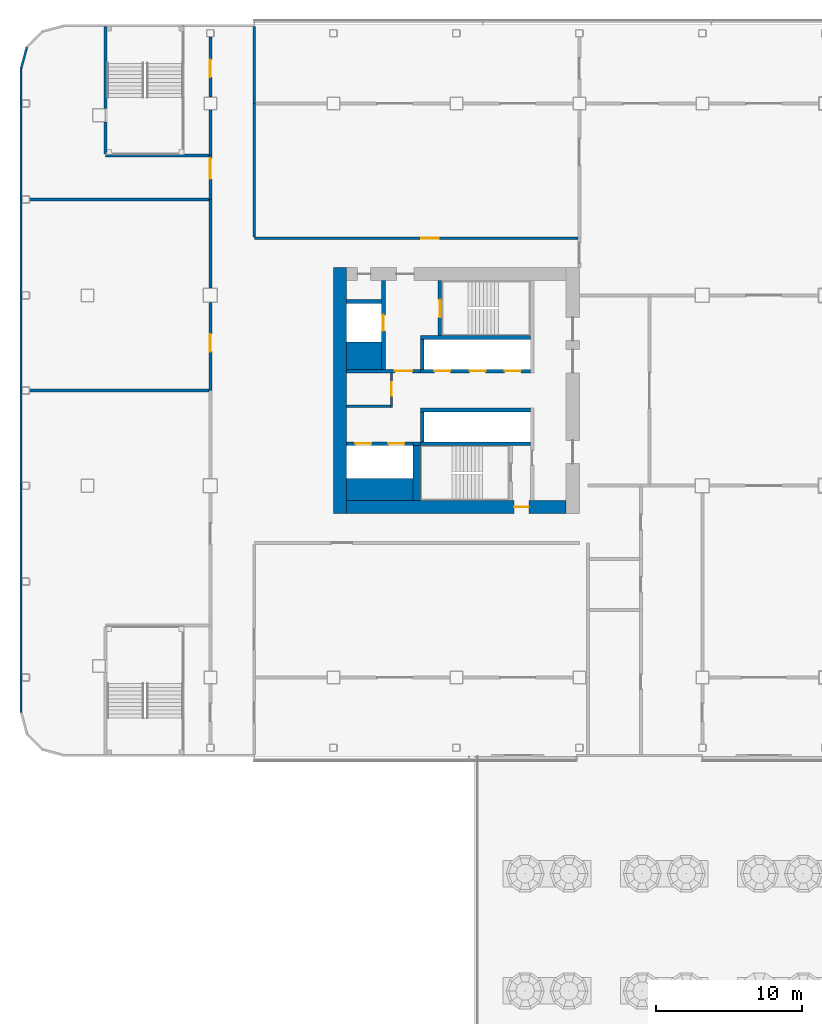
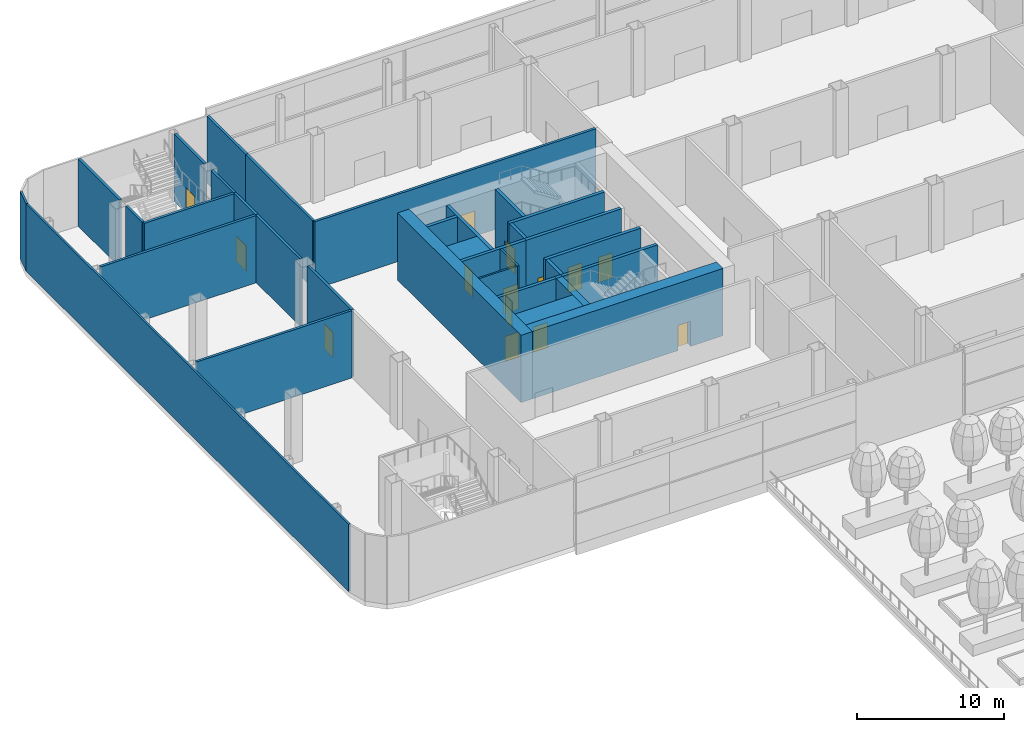
# One storey, part 33 of 100: 34 walls, 14 doors, 14 openings.
"""IFC4 building model written with IfcOpenShell, lengths in metres."""

from ifc_helpers import new_model, si_unit, direction, frame, frame_2d, origin, place, context, subcontext, project, spatial, rectangle, extrude, material, layer, layer_set, type_object, element, fill, save


model = new_model("IFC4")

# Units and contexts
model_context = context("Model", 3, precision=1e-05, world=origin(), true_north=direction((0.0, 1.0)))
body_context = subcontext(model_context, "Body", "Model", "MODEL_VIEW")
ifc_project = project(units=[si_unit("LENGTHUNIT", "METRE"), si_unit("AREAUNIT", "SQUARE_METRE"), si_unit("VOLUMEUNIT", "CUBIC_METRE"), si_unit("PLANEANGLEUNIT", "RADIAN"), si_unit("MASSUNIT", "GRAM", prefix="KILO")], contexts=[model_context])

# Site, building, storey
site_placement = place(None, origin())
site = spatial("IfcSite", under=ifc_project, at=site_placement, CompositionType="ELEMENT")
building_placement = place(site_placement, origin())
building = spatial("IfcBuilding", under=site, at=building_placement, Name="Hakoniwa Tower and Hamabe Station Hall", CompositionType="ELEMENT")
storey_placement = place(building_placement, frame((0.0, 0.0, 9.0)))
storey = spatial("IfcBuildingStorey", under=building, at=storey_placement, Name="L02", CompositionType="ELEMENT", Elevation=9.0)

# Wall, opening, door
ifc_material_1 = material(Name="Gypsum board partition")
ifc_layer_1 = layer(ifc_material_1, 0.14990234375)
ifc_layer_set_1 = layer_set([ifc_layer_1], Name="CORE PARTITION 150 EI 60")
wall_type_1 = type_object("IfcWallType", Name="CORE PARTITION 150 EI 60", PredefinedType="PARTITIONING", material=ifc_layer_set_1)
wall_1_placement = place(storey_placement, frame((-29.625, -1.14990234375, 0.0), z_axis=(0.0, 0.0, 1.0), x_axis=(0.0, 1.0, 0.0)))
wall_1 = element("IfcWall", 1, at=wall_1_placement, inside=storey, type_object=wall_type_1, Name="Core partition PW0 west", PredefinedType="PARTITIONING", context=body_context, shape_type="SweptSolid", body=[
    extrude(rectangle(XDim=2.349853515625, YDim=0.14990234375, at=frame_2d((1.1748046875, 0.0))), origin(), (0.0, 0.0, 1.0), 5.60009765625),
])
opening_1_placement = place(wall_1_placement, frame((0.800048828125, 0.0, 0.0)))
opening_1 = element("IfcOpeningElement", 2, at=opening_1_placement, cuts=wall_1, Name="Opening CD-W-RM1-9", PredefinedType="OPENING", context=body_context, shape_type="SweptSolid", body=[
    extrude(rectangle(XDim=0.89990234375, YDim=2.10009765625, at=frame_2d((0.449951171875, 1.050048828125))), frame((0.0, 0.0849609375, 0.0), z_axis=(0.0, -1.0, 0.0), x_axis=(1.0, 0.0, 0.0)), (0.0, 0.0, 1.0), 0.169921875),
])
ifc_material_2 = material(Name="Steel fire door", Category="steel")
door_type_1 = type_object("IfcDoorType", Name="CORE DOOR 900 FD30", OperationType="NOTDEFINED", PredefinedType="DOOR", material=ifc_material_2)
door_1_placement = place(opening_1_placement, origin())
door_1 = element("IfcDoor", 3, at=door_1_placement, inside=storey, type_object=door_type_1, Name="Store room door", OperationType="SINGLE_SWING_LEFT", OverallHeight=2.10009765625, OverallWidth=0.89990234375, PredefinedType="DOOR", context=body_context, shape_type="SweptSolid", body=[
    extrude(rectangle(XDim=0.89990234375, YDim=2.10009765625, at=frame_2d((0.449951171875, 1.050048828125))), frame((0.0, 0.02490234375, 0.0), z_axis=(0.0, -1.0, 0.0), x_axis=(1.0, 0.0, 0.0)), (0.0, 0.0, 1.0), 0.050048828125),
])
fill(opening_1, door_1)

# Walls
wall_2_placement = place(storey_placement, frame((-32.699951171875, -1.074951171875, 0.0), z_axis=(0.0, 0.0, 1.0), x_axis=(1.0, 0.0, 0.0)))
element("IfcWall", 4, at=wall_2_placement, inside=storey, type_object=wall_type_1, Name="Core partition PS west", PredefinedType="PARTITIONING", context=body_context, shape_type="SweptSolid", body=[
    extrude(rectangle(XDim=3.0, YDim=0.14990234375, at=frame_2d((1.5, 0.0))), origin(), (0.0, 0.0, 1.0), 5.60009765625),
])
ifc_material_3 = material(Name="Concrete C80", Category="concrete")
ifc_layer_2 = layer(ifc_material_3, 0.89990234375)
ifc_layer_set_2 = layer_set([ifc_layer_2], Name="CORE WALL 900 C80")
wall_type_2 = type_object("IfcWallType", Name="CORE WALL 900 C80", PredefinedType="SHEAR", material=ifc_layer_set_2)
wall_3_placement = place(storey_placement, frame((-33.14990234375, -8.39990234375, 0.0), z_axis=(0.0, 0.0, 1.0), x_axis=(0.0, 1.0, 0.0)))
element("IfcWall", 5, at=wall_3_placement, inside=storey, type_object=wall_type_2, Name="Core wall OUTER west", PredefinedType="SHEAR", context=body_context, shape_type="SweptSolid", body=[
    extrude(rectangle(XDim=16.7998046875, YDim=0.89990234375, at=frame_2d((8.39990234375, 0.0))), origin(), (0.0, 0.0, 1.0), 5.60009765625),
])

# Wall, opening, door
wall_4_placement = place(storey_placement, frame((-32.699951171875, -7.949951171875, 0.0), z_axis=(0.0, 0.0, 1.0), x_axis=(1.0, 0.0, 0.0)))
wall_4 = element("IfcWall", 6, at=wall_4_placement, inside=storey, type_object=wall_type_2, Name="Core wall SOUTH west", PredefinedType="SHEAR", context=body_context, shape_type="SweptSolid", body=[
    extrude(rectangle(XDim=15.0, YDim=0.89990234375, at=frame_2d((7.5, 0.0))), origin(), (0.0, 0.0, 1.0), 5.60009765625),
])
opening_2_placement = place(wall_4_placement, frame((11.449951171875, 0.0, 0.0)))
opening_2 = element("IfcOpeningElement", 7, at=opening_2_placement, cuts=wall_4, Name="Opening CD-W-FS3-10", PredefinedType="OPENING", context=body_context, shape_type="SweptSolid", body=[
    extrude(rectangle(XDim=1.0, YDim=2.10009765625, at=frame_2d((0.5, 1.050048828125))), frame((0.0, 0.4599609375, 0.0), z_axis=(0.0, -1.0, 0.0), x_axis=(1.0, 0.0, 0.0)), (0.0, 0.0, 1.0), 0.919921875),
])
ifc_material_4 = material(Name="Steel fire door", Category="steel")
door_type_2 = type_object("IfcDoorType", Name="CORE DOOR 1000 FD60", OperationType="NOTDEFINED", PredefinedType="DOOR", material=ifc_material_4)
door_2_placement = place(opening_2_placement, origin())
door_2 = element("IfcDoor", 8, at=door_2_placement, inside=storey, type_object=door_type_2, Name="Stair vestibule door", OperationType="SINGLE_SWING_RIGHT", OverallHeight=2.10009765625, OverallWidth=1.0, PredefinedType="DOOR", context=body_context, shape_type="SweptSolid", body=[
    extrude(rectangle(XDim=1.0, YDim=2.10009765625, at=frame_2d((0.5, 1.050048828125))), frame((0.0, 0.02490234375, 0.0), z_axis=(0.0, -1.0, 0.0), x_axis=(1.0, 0.0, 0.0)), (0.0, 0.0, 1.0), 0.050048828125),
])
fill(opening_2, door_2)

# Walls
ifc_material_5 = material(Name="Concrete C80", Category="concrete")
ifc_layer_3 = layer(ifc_material_5, 1.5)
ifc_layer_set_3 = layer_set([ifc_layer_3], Name="CORE WEB WALL 1500 C80")
wall_type_3 = type_object("IfcWallType", Name="CORE WEB WALL 1500 C80", PredefinedType="SHEAR", material=ifc_layer_set_3)
wall_5_placement = place(storey_placement, frame((-32.699951171875, -6.75, 0.0), z_axis=(0.0, 0.0, 1.0), x_axis=(1.0, 0.0, 0.0)))
element("IfcWall", 9, at=wall_5_placement, inside=storey, type_object=wall_type_3, Name="Core wall SER west", PredefinedType="SHEAR", context=body_context, shape_type="SweptSolid", body=[
    extrude(rectangle(XDim=4.550048828125, YDim=1.5, at=frame_2d((2.27490234375, 0.0))), origin(), (0.0, 0.0, 1.0), 5.60009765625),
])
ifc_material_6 = material(Name="Concrete C80", Category="concrete")
ifc_layer_4 = layer(ifc_material_6, 1.85009765625)
ifc_layer_set_4 = layer_set([ifc_layer_4], Name="CORE WEB WALL 1850 C80")
wall_type_4 = type_object("IfcWallType", Name="CORE WEB WALL 1850 C80", PredefinedType="SHEAR", material=ifc_layer_set_4)
wall_6_placement = place(storey_placement, frame((-32.699951171875, 2.375, 0.0), z_axis=(0.0, 0.0, 1.0), x_axis=(1.0, 0.0, 0.0)))
element("IfcWall", 10, at=wall_6_placement, inside=storey, type_object=wall_type_4, Name="Core wall CA west", PredefinedType="SHEAR", context=body_context, shape_type="SweptSolid", body=[
    extrude(rectangle(XDim=2.39990234375, YDim=1.85009765625, at=frame_2d((1.199951171875, 0.0))), origin(), (0.0, 0.0, 1.0), 5.60009765625),
])

# Wall, openings, doors
ifc_material_7 = material(Name="Concrete C80", Category="concrete")
ifc_layer_5 = layer(ifc_material_7, 0.25)
ifc_layer_set_5 = layer_set([ifc_layer_5], Name="CORE WEB WALL 250 C80")
wall_type_5 = type_object("IfcWallType", Name="CORE WEB WALL 250 C80", PredefinedType="SHEAR", material=ifc_layer_set_5)
wall_7_placement = place(storey_placement, frame((-27.64990234375, 1.324951171875, 0.0), z_axis=(0.0, 0.0, 1.0), x_axis=(1.0, 0.0, 0.0)))
wall_7 = element("IfcWall", 11, at=wall_7_placement, inside=storey, type_object=wall_type_5, Name="Core wall NF west", PredefinedType="SHEAR", context=body_context, shape_type="SweptSolid", body=[
    extrude(rectangle(XDim=7.5, YDim=0.25, at=frame_2d((3.75, 0.0))), origin(), (0.0, 0.0, 1.0), 5.60009765625),
])
opening_3_placement = place(wall_7_placement, frame((5.75, 0.0, 0.0)))
opening_3 = element("IfcOpeningElement", 12, at=opening_3_placement, cuts=wall_7, Name="Opening LD-LR1", PredefinedType="OPENING", context=body_context, shape_type="SweptSolid", body=[
    extrude(rectangle(XDim=1.10009765625, YDim=2.10009765625, at=frame_2d((0.550048828125, 1.050048828125))), frame((0.0, 0.135009765625, 0.0), z_axis=(0.0, -1.0, 0.0), x_axis=(1.0, 0.0, 0.0)), (0.0, 0.0, 1.0), 0.27001953125),
])
opening_4_placement = place(wall_7_placement, frame((3.35009765625, 0.0, 0.0)))
opening_4 = element("IfcOpeningElement", 13, at=opening_4_placement, cuts=wall_7, Name="Opening LD-LR2", PredefinedType="OPENING", context=body_context, shape_type="SweptSolid", body=[
    extrude(rectangle(XDim=1.10009765625, YDim=2.10009765625, at=frame_2d((0.550048828125, 1.050048828125))), frame((0.0, 0.135009765625, 0.0), z_axis=(0.0, -1.0, 0.0), x_axis=(1.0, 0.0, 0.0)), (0.0, 0.0, 1.0), 0.27001953125),
])
opening_5_placement = place(wall_7_placement, frame((0.949951171875, 0.0, 0.0)))
opening_5 = element("IfcOpeningElement", 14, at=opening_5_placement, cuts=wall_7, Name="Opening LD-LR3", PredefinedType="OPENING", context=body_context, shape_type="SweptSolid", body=[
    extrude(rectangle(XDim=1.10009765625, YDim=2.10009765625, at=frame_2d((0.550048828125, 1.050048828125))), frame((0.0, 0.135009765625, 0.0), z_axis=(0.0, -1.0, 0.0), x_axis=(1.0, 0.0, 0.0)), (0.0, 0.0, 1.0), 0.27001953125),
])
ifc_material_8 = material(Name="Stainless steel SUS304", Category="steel")
door_type_3 = type_object("IfcDoorType", Name="LIFT LANDING DOOR 1100 FD60", OperationType="DOUBLE_DOOR_SLIDING", PredefinedType="DOOR", material=ifc_material_8)
door_3_placement = place(opening_3_placement, origin())
door_3 = element("IfcDoor", 15, at=door_3_placement, inside=storey, type_object=door_type_3, Name="Lift landing door LR1 L02", OperationType="DOUBLE_DOOR_SLIDING", OverallHeight=2.10009765625, OverallWidth=1.10009765625, PredefinedType="DOOR", context=body_context, shape_type="SweptSolid", body=[
    extrude(rectangle(XDim=1.10009765625, YDim=2.10009765625, at=frame_2d((0.550048828125, 1.050048828125))), frame((0.0, 0.02490234375, 0.0), z_axis=(0.0, -1.0, 0.0), x_axis=(1.0, 0.0, 0.0)), (0.0, 0.0, 1.0), 0.050048828125),
])
fill(opening_3, door_3)
door_4_placement = place(opening_4_placement, origin())
door_4 = element("IfcDoor", 16, at=door_4_placement, inside=storey, type_object=door_type_3, Name="Lift landing door LR2 L02", OperationType="DOUBLE_DOOR_SLIDING", OverallHeight=2.10009765625, OverallWidth=1.10009765625, PredefinedType="DOOR", context=body_context, shape_type="SweptSolid", body=[
    extrude(rectangle(XDim=1.10009765625, YDim=2.10009765625, at=frame_2d((0.550048828125, 1.050048828125))), frame((0.0, 0.02490234375, 0.0), z_axis=(0.0, -1.0, 0.0), x_axis=(1.0, 0.0, 0.0)), (0.0, 0.0, 1.0), 0.050048828125),
])
fill(opening_4, door_4)
door_5_placement = place(opening_5_placement, origin())
door_5 = element("IfcDoor", 17, at=door_5_placement, inside=storey, type_object=door_type_3, Name="Lift landing door LR3 L02", OperationType="DOUBLE_DOOR_SLIDING", OverallHeight=2.10009765625, OverallWidth=1.10009765625, PredefinedType="DOOR", context=body_context, shape_type="SweptSolid", body=[
    extrude(rectangle(XDim=1.10009765625, YDim=2.10009765625, at=frame_2d((0.550048828125, 1.050048828125))), frame((0.0, 0.02490234375, 0.0), z_axis=(0.0, -1.0, 0.0), x_axis=(1.0, 0.0, 0.0)), (0.0, 0.0, 1.0), 0.050048828125),
])
fill(opening_5, door_5)

# Walls
wall_8_placement = place(storey_placement, frame((-27.52490234375, 1.449951171875, 0.0), z_axis=(0.0, 0.0, 1.0), x_axis=(0.0, 1.0, 0.0)))
element("IfcWall", 18, at=wall_8_placement, inside=storey, type_object=wall_type_5, Name="Core wall NE west", PredefinedType="SHEAR", context=body_context, shape_type="SweptSolid", body=[
    extrude(rectangle(XDim=2.050048828125, YDim=0.25, at=frame_2d((1.02490234375, 0.0))), origin(), (0.0, 0.0, 1.0), 5.60009765625),
])
wall_9_placement = place(storey_placement, frame((-27.64990234375, 3.625, 0.0), z_axis=(0.0, 0.0, 1.0), x_axis=(1.0, 0.0, 0.0)))
element("IfcWall", 19, at=wall_9_placement, inside=storey, type_object=wall_type_5, Name="Core wall NR west", PredefinedType="SHEAR", context=body_context, shape_type="SweptSolid", body=[
    extrude(rectangle(XDim=7.5, YDim=0.25, at=frame_2d((3.75, 0.0))), origin(), (0.0, 0.0, 1.0), 5.60009765625),
])

# Wall, opening, door
wall_10_placement = place(storey_placement, frame((-26.324951171875, 3.75, 0.0), z_axis=(0.0, 0.0, 1.0), x_axis=(0.0, 1.0, 0.0)))
wall_10 = element("IfcWall", 20, at=wall_10_placement, inside=storey, type_object=wall_type_5, Name="Core wall NSE west", PredefinedType="SHEAR", context=body_context, shape_type="SweptSolid", body=[
    extrude(rectangle(XDim=3.75, YDim=0.25, at=frame_2d((1.875, 0.0))), origin(), (0.0, 0.0, 1.0), 5.60009765625),
])
opening_6_placement = place(wall_10_placement, frame((1.25, 0.0, 0.0)))
opening_6 = element("IfcOpeningElement", 21, at=opening_6_placement, cuts=wall_10, Name="Opening CD-W-SN-12", PredefinedType="OPENING", context=body_context, shape_type="SweptSolid", body=[
    extrude(rectangle(XDim=1.199951171875, YDim=2.10009765625, at=frame_2d((0.60009765625, 1.050048828125))), frame((0.0, 0.135009765625, 0.0), z_axis=(0.0, -1.0, 0.0), x_axis=(1.0, 0.0, 0.0)), (0.0, 0.0, 1.0), 0.27001953125),
])
ifc_material_9 = material(Name="Steel fire door", Category="steel")
door_type_4 = type_object("IfcDoorType", Name="CORE DOOR 1200 FD60", OperationType="DOUBLE_DOOR_SINGLE_SWING", PredefinedType="DOOR", material=ifc_material_9)
door_6_placement = place(opening_6_placement, origin())
door_6 = element("IfcDoor", 22, at=door_6_placement, inside=storey, type_object=door_type_4, Name="Escape stair door", OperationType="DOUBLE_DOOR_SINGLE_SWING", OverallHeight=2.10009765625, OverallWidth=1.199951171875, PredefinedType="DOOR", context=body_context, shape_type="SweptSolid", body=[
    extrude(rectangle(XDim=1.199951171875, YDim=2.10009765625, at=frame_2d((0.60009765625, 1.050048828125))), frame((0.0, 0.02490234375, 0.0), z_axis=(0.0, -1.0, 0.0), x_axis=(1.0, 0.0, 0.0)), (0.0, 0.0, 1.0), 0.050048828125),
])
fill(opening_6, door_6)

wall_11_placement = place(storey_placement, frame((-32.699951171875, 1.324951171875, 0.0), z_axis=(0.0, 0.0, 1.0), x_axis=(1.0, 0.0, 0.0)))
wall_11 = element("IfcWall", 23, at=wall_11_placement, inside=storey, type_object=wall_type_5, Name="Core wall ELN west", PredefinedType="SHEAR", context=body_context, shape_type="SweptSolid", body=[
    extrude(rectangle(XDim=5.050048828125, YDim=0.25, at=frame_2d((2.52490234375, 0.0))), origin(), (0.0, 0.0, 1.0), 5.60009765625),
])
opening_7_placement = place(wall_11_placement, frame((3.300048828125, 0.0, 0.0)))
opening_7 = element("IfcOpeningElement", 24, at=opening_7_placement, cuts=wall_11, Name="Opening CD-W-FL-12", PredefinedType="OPENING", context=body_context, shape_type="SweptSolid", body=[
    extrude(rectangle(XDim=1.199951171875, YDim=2.10009765625, at=frame_2d((0.60009765625, 1.050048828125))), frame((0.0, 0.135009765625, 0.0), z_axis=(0.0, -1.0, 0.0), x_axis=(1.0, 0.0, 0.0)), (0.0, 0.0, 1.0), 0.27001953125),
])
door_7_placement = place(opening_7_placement, origin())
door_7 = element("IfcDoor", 25, at=door_7_placement, inside=storey, type_object=door_type_4, Name="Stair vestibule door to the fire-fighting lobby", OperationType="DOUBLE_DOOR_SINGLE_SWING", OverallHeight=2.10009765625, OverallWidth=1.199951171875, PredefinedType="DOOR", context=body_context, shape_type="SweptSolid", body=[
    extrude(rectangle(XDim=1.199951171875, YDim=2.10009765625, at=frame_2d((0.60009765625, 1.050048828125))), frame((0.0, 0.02490234375, 0.0), z_axis=(0.0, -1.0, 0.0), x_axis=(1.0, 0.0, 0.0)), (0.0, 0.0, 1.0), 0.050048828125),
])
fill(opening_7, door_7)

wall_12_placement = place(storey_placement, frame((-30.175048828125, 1.449951171875, 0.0), z_axis=(0.0, 0.0, 1.0), x_axis=(0.0, 1.0, 0.0)))
wall_12 = element("IfcWall", 26, at=wall_12_placement, inside=storey, type_object=wall_type_5, Name="Core wall FFF west", PredefinedType="SHEAR", context=body_context, shape_type="SweptSolid", body=[
    extrude(rectangle(XDim=6.050048828125, YDim=0.25, at=frame_2d((3.02490234375, 0.0))), origin(), (0.0, 0.0, 1.0), 5.60009765625),
])
opening_8_placement = place(wall_12_placement, frame((2.625, 0.0, 0.0)))
opening_8 = element("IfcOpeningElement", 27, at=opening_8_placement, cuts=wall_12, Name="Opening LD-FF1", PredefinedType="OPENING", context=body_context, shape_type="SweptSolid", body=[
    extrude(rectangle(XDim=1.10009765625, YDim=2.10009765625, at=frame_2d((0.550048828125, 1.050048828125))), frame((0.0, 0.135009765625, 0.0), z_axis=(0.0, -1.0, 0.0), x_axis=(1.0, 0.0, 0.0)), (0.0, 0.0, 1.0), 0.27001953125),
])
door_8_placement = place(opening_8_placement, origin())
door_8 = element("IfcDoor", 28, at=door_8_placement, inside=storey, type_object=door_type_3, Name="Lift landing door FF1 L02", OperationType="DOUBLE_DOOR_SLIDING", OverallHeight=2.10009765625, OverallWidth=1.10009765625, PredefinedType="DOOR", context=body_context, shape_type="SweptSolid", body=[
    extrude(rectangle(XDim=1.10009765625, YDim=2.10009765625, at=frame_2d((0.550048828125, 1.050048828125))), frame((0.0, 0.02490234375, 0.0), z_axis=(0.0, -1.0, 0.0), x_axis=(1.0, 0.0, 0.0)), (0.0, 0.0, 1.0), 0.050048828125),
])
fill(opening_8, door_8)

# Walls
wall_13_placement = place(storey_placement, frame((-32.699951171875, 6.074951171875, 0.0), z_axis=(0.0, 0.0, 1.0), x_axis=(1.0, 0.0, 0.0)))
element("IfcWall", 29, at=wall_13_placement, inside=storey, type_object=wall_type_5, Name="Core wall C2 west", PredefinedType="SHEAR", context=body_context, shape_type="SweptSolid", body=[
    extrude(rectangle(XDim=2.39990234375, YDim=0.25, at=frame_2d((1.199951171875, 0.0))), origin(), (0.0, 0.0, 1.0), 5.60009765625),
])
wall_14_placement = place(storey_placement, frame((-27.64990234375, -1.324951171875, 0.0), z_axis=(0.0, 0.0, 1.0), x_axis=(1.0, 0.0, 0.0)))
element("IfcWall", 30, at=wall_14_placement, inside=storey, type_object=wall_type_5, Name="Core wall SF west", PredefinedType="SHEAR", context=body_context, shape_type="SweptSolid", body=[
    extrude(rectangle(XDim=7.5, YDim=0.25, at=frame_2d((3.75, 0.0))), origin(), (0.0, 0.0, 1.0), 5.60009765625),
])
wall_15_placement = place(storey_placement, frame((-27.52490234375, -3.5, 0.0), z_axis=(0.0, 0.0, 1.0), x_axis=(0.0, 1.0, 0.0)))
element("IfcWall", 31, at=wall_15_placement, inside=storey, type_object=wall_type_5, Name="Core wall SE west", PredefinedType="SHEAR", context=body_context, shape_type="SweptSolid", body=[
    extrude(rectangle(XDim=2.050048828125, YDim=0.25, at=frame_2d((1.02490234375, 0.0))), origin(), (0.0, 0.0, 1.0), 5.60009765625),
])
wall_16_placement = place(storey_placement, frame((-27.64990234375, -3.625, 0.0), z_axis=(0.0, 0.0, 1.0), x_axis=(1.0, 0.0, 0.0)))
element("IfcWall", 32, at=wall_16_placement, inside=storey, type_object=wall_type_5, Name="Core wall SR west", PredefinedType="SHEAR", context=body_context, shape_type="SweptSolid", body=[
    extrude(rectangle(XDim=7.5, YDim=0.25, at=frame_2d((3.75, 0.0))), origin(), (0.0, 0.0, 1.0), 5.60009765625),
])

# Wall, openings, doors
wall_17_placement = place(storey_placement, frame((-32.699951171875, -3.625, 0.0), z_axis=(0.0, 0.0, 1.0), x_axis=(1.0, 0.0, 0.0)))
wall_17 = element("IfcWall", 33, at=wall_17_placement, inside=storey, type_object=wall_type_5, Name="Core wall SEF west", PredefinedType="SHEAR", context=body_context, shape_type="SweptSolid", body=[
    extrude(rectangle(XDim=4.550048828125, YDim=0.25, at=frame_2d((2.27490234375, 0.0))), origin(), (0.0, 0.0, 1.0), 5.60009765625),
])
opening_9_placement = place(wall_17_placement, frame((2.85009765625, 0.0, 0.0)))
opening_9 = element("IfcOpeningElement", 34, at=opening_9_placement, cuts=wall_17, Name="Opening LD-SV1", PredefinedType="OPENING", context=body_context, shape_type="SweptSolid", body=[
    extrude(rectangle(XDim=1.10009765625, YDim=2.10009765625, at=frame_2d((0.550048828125, 1.050048828125))), frame((0.0, 0.135009765625, 0.0), z_axis=(0.0, -1.0, 0.0), x_axis=(1.0, 0.0, 0.0)), (0.0, 0.0, 1.0), 0.27001953125),
])
opening_10_placement = place(wall_17_placement, frame((0.60009765625, 0.0, 0.0)))
opening_10 = element("IfcOpeningElement", 35, at=opening_10_placement, cuts=wall_17, Name="Opening LD-SV2", PredefinedType="OPENING", context=body_context, shape_type="SweptSolid", body=[
    extrude(rectangle(XDim=1.10009765625, YDim=2.10009765625, at=frame_2d((0.550048828125, 1.050048828125))), frame((0.0, 0.135009765625, 0.0), z_axis=(0.0, -1.0, 0.0), x_axis=(1.0, 0.0, 0.0)), (0.0, 0.0, 1.0), 0.27001953125),
])
door_9_placement = place(opening_9_placement, origin())
door_9 = element("IfcDoor", 36, at=door_9_placement, inside=storey, type_object=door_type_3, Name="Lift landing door SV1 L02", OperationType="DOUBLE_DOOR_SLIDING", OverallHeight=2.10009765625, OverallWidth=1.10009765625, PredefinedType="DOOR", context=body_context, shape_type="SweptSolid", body=[
    extrude(rectangle(XDim=1.10009765625, YDim=2.10009765625, at=frame_2d((0.550048828125, 1.050048828125))), frame((0.0, 0.02490234375, 0.0), z_axis=(0.0, -1.0, 0.0), x_axis=(1.0, 0.0, 0.0)), (0.0, 0.0, 1.0), 0.050048828125),
])
fill(opening_9, door_9)
door_10_placement = place(opening_10_placement, origin())
door_10 = element("IfcDoor", 37, at=door_10_placement, inside=storey, type_object=door_type_3, Name="Lift landing door SV2 L02", OperationType="DOUBLE_DOOR_SLIDING", OverallHeight=2.10009765625, OverallWidth=1.10009765625, PredefinedType="DOOR", context=body_context, shape_type="SweptSolid", body=[
    extrude(rectangle(XDim=1.10009765625, YDim=2.10009765625, at=frame_2d((0.550048828125, 1.050048828125))), frame((0.0, 0.02490234375, 0.0), z_axis=(0.0, -1.0, 0.0), x_axis=(1.0, 0.0, 0.0)), (0.0, 0.0, 1.0), 0.050048828125),
])
fill(opening_10, door_10)

# Walls
wall_18_placement = place(storey_placement, frame((-28.14990234375, -3.625, 0.0), z_axis=(0.0, 0.0, 1.0), x_axis=(1.0, 0.0, 0.0)))
element("IfcWall", 38, at=wall_18_placement, inside=storey, type_object=wall_type_5, Name="Core wall SRK west", PredefinedType="SHEAR", context=body_context, shape_type="SweptSolid", body=[
    extrude(rectangle(XDim=0.5, YDim=0.25, at=frame_2d((0.25, 0.0))), origin(), (0.0, 0.0, 1.0), 5.60009765625),
])
ifc_material_10 = material(Name="Concrete C80", Category="concrete")
ifc_layer_6 = layer(ifc_material_10, 0.5)
ifc_layer_set_6 = layer_set([ifc_layer_6], Name="CORE WEB WALL 500 C80")
wall_type_6 = type_object("IfcWallType", Name="CORE WEB WALL 500 C80", PredefinedType="SHEAR", material=ifc_layer_set_6)
wall_19_placement = place(storey_placement, frame((-27.89990234375, -7.5, 0.0), z_axis=(0.0, 0.0, 1.0), x_axis=(0.0, 1.0, 0.0)))
element("IfcWall", 39, at=wall_19_placement, inside=storey, type_object=wall_type_6, Name="Core wall SSE west", PredefinedType="SHEAR", context=body_context, shape_type="SweptSolid", body=[
    extrude(rectangle(XDim=3.75, YDim=0.5, at=frame_2d((1.875, 0.0))), origin(), (0.0, 0.0, 1.0), 5.60009765625),
])
ifc_material_11 = material(Name="Dark glass-faced aluminium panel", Category="aluminium")
ifc_layer_7 = layer(ifc_material_11, 0.14990234375)
ifc_layer_set_7 = layer_set([ifc_layer_7], Name="EXTERNAL WALL 150 EI 60")
wall_type_7 = type_object("IfcWallType", Name="EXTERNAL WALL 150 EI 60", PredefinedType="STANDARD", material=ifc_layer_set_7)
wall_20_placement = place(storey_placement, frame((-54.925048828125, -21.980224609375, 0.0), z_axis=(0.0, 0.0, 1.0), x_axis=(0.0, 1.0, 0.0)))
element("IfcWall", 40, at=wall_20_placement, inside=storey, type_object=wall_type_7, Name="External wall L02 8-1", PredefinedType="STANDARD", context=body_context, shape_type="SweptSolid", body=[
    extrude(rectangle(XDim=43.96044921875, YDim=0.14990234375, at=frame_2d((21.980224609375, 0.0))), origin(), (0.0, 0.0, 1.0), 5.60009765625),
])
wall_21_placement = place(storey_placement, frame((-54.92236328125, 21.999755859375, 0.0), z_axis=(0.0, 0.0, 1.0), x_axis=(0.258741535379, 0.965946591624, 0.0)))
element("IfcWall", 41, at=wall_21_placement, inside=storey, type_object=wall_type_7, Name="External wall L02 9-1", PredefinedType="STANDARD", context=body_context, shape_type="SweptSolid", body=[
    extrude(rectangle(XDim=1.49267578125, YDim=0.14990234375, at=frame_2d((0.746337890625, 0.0))), origin(), (0.0, 0.0, 1.0), 5.60009765625),
])
ifc_material_12 = material(Name="Fire-rated gypsum board partition")
ifc_layer_8 = layer(ifc_material_12, 0.199951171875)
ifc_layer_set_8 = layer_set([ifc_layer_8], Name="FIRE PARTITION 200 EI 60")
wall_type_8 = type_object("IfcWallType", Name="FIRE PARTITION 200 EI 60", PredefinedType="PARTITIONING", material=ifc_layer_set_8)
for number, where, z_axis, x_axis, name in (
    (42, (-54.35009765625, 0.0, 0.0), (0.0, 0.0, 1.0), (1.0, 0.0, 0.0), "Wall Restaurant Kitchen / Staff Lounge"),
    (43, (-54.35009765625, 13.050048828125, 0.0), (0.0, 0.0, 1.0), (1.0, 0.0, 0.0), "Wall Staff Lounge / Banquet Kitchen"),
):
    element("IfcWall", number, at=place(storey_placement, frame(where, z_axis=z_axis, x_axis=x_axis)), inside=storey, type_object=wall_type_8, Name=name, PredefinedType="PARTITIONING", context=body_context, shape_type="SweptSolid", body=[
        extrude(rectangle(XDim=12.25, YDim=0.199951171875, at=frame_2d((6.125, 0.0))), origin(), (0.0, 0.0, 1.0), 5.60009765625),
    ])

# Wall, opening, door
wall_22_placement = place(storey_placement, frame((-42.0, 13.050048828125, 0.0), z_axis=(0.0, 0.0, 1.0), x_axis=(0.0, 1.0, 0.0)))
wall_22 = element("IfcWall", 44, at=wall_22_placement, inside=storey, type_object=wall_type_8, Name="Wall West Service Corridor / Banquet Kitchen", PredefinedType="PARTITIONING", context=body_context, shape_type="SweptSolid", body=[
    extrude(rectangle(XDim=3.0, YDim=0.199951171875, at=frame_2d((1.5, 0.0))), origin(), (0.0, 0.0, 1.0), 5.60009765625),
])
opening_11_placement = place(wall_22_placement, frame((1.39990234375, 0.0, 0.0)))
opening_11 = element("IfcOpeningElement", 45, at=opening_11_placement, cuts=wall_22, Name="Opening PD-L02-034", PredefinedType="OPENING", context=body_context, shape_type="SweptSolid", body=[
    extrude(rectangle(XDim=1.39990234375, YDim=2.10009765625, at=frame_2d((0.699951171875, 1.050048828125))), frame((0.0, 0.10986328125, 0.0), z_axis=(0.0, -1.0, 0.0), x_axis=(1.0, 0.0, 0.0)), (0.0, 0.0, 1.0), 0.219970703125),
])
ifc_material_13 = material(Name="Steel fire door", Category="steel")
door_type_5 = type_object("IfcDoorType", Name="FIRE DOOR 1400X2100 FD60", OperationType="SINGLE_SWING_LEFT", PredefinedType="DOOR", material=ifc_material_13)
door_11_placement = place(opening_11_placement, origin())
door_11 = element("IfcDoor", 46, at=door_11_placement, inside=storey, type_object=door_type_5, Name="Door PD-L02-034", OperationType="SINGLE_SWING_LEFT", OverallHeight=2.10009765625, OverallWidth=1.39990234375, PredefinedType="DOOR", context=body_context, shape_type="SweptSolid", body=[
    extrude(rectangle(XDim=1.39990234375, YDim=2.10009765625, at=frame_2d((0.699951171875, 1.050048828125))), frame((0.0, 0.02490234375, 0.0), z_axis=(0.0, -1.0, 0.0), x_axis=(1.0, 0.0, 0.0)), (0.0, 0.0, 1.0), 0.050048828125),
])
fill(opening_11, door_11)

# Wall
wall_23_placement = place(storey_placement, frame((-39.0, 24.85009765625, 0.0), z_axis=(0.0, 0.0, 1.0), x_axis=(0.0, -1.0, 0.0)))
element("IfcWall", 47, at=wall_23_placement, inside=storey, type_object=wall_type_8, Name="Wall West Service Corridor / Executive Lounge Gallery", PredefinedType="PARTITIONING", context=body_context, shape_type="SweptSolid", body=[
    extrude(rectangle(XDim=5.25, YDim=0.199951171875, at=frame_2d((2.625, 0.0))), origin(), (0.0, 0.0, 1.0), 5.60009765625),
])

# Wall, opening, door
wall_24_placement = place(storey_placement, frame((-39.0, 10.39990234375, 0.0), z_axis=(0.0, 0.0, 1.0), x_axis=(1.0, 0.0, 0.0)))
wall_24 = element("IfcWall", 48, at=wall_24_placement, inside=storey, type_object=wall_type_8, Name="Wall West Service Corridor / Executive Lounge", PredefinedType="PARTITIONING", context=body_context, shape_type="SweptSolid", body=[
    extrude(rectangle(XDim=22.10009765625, YDim=0.199951171875, at=frame_2d((11.050048828125, 0.0))), origin(), (0.0, 0.0, 1.0), 5.60009765625),
])
opening_12_placement = place(wall_24_placement, frame((11.39990234375, 0.0, 0.0)))
opening_12 = element("IfcOpeningElement", 49, at=opening_12_placement, cuts=wall_24, Name="Opening PD-L02-043", PredefinedType="OPENING", context=body_context, shape_type="SweptSolid", body=[
    extrude(rectangle(XDim=1.199951171875, YDim=2.10009765625, at=frame_2d((0.60009765625, 1.050048828125))), frame((0.0, 0.10986328125, 0.0), z_axis=(0.0, -1.0, 0.0), x_axis=(1.0, 0.0, 0.0)), (0.0, 0.0, 1.0), 0.219970703125),
])
ifc_material_14 = material(Name="Steel fire door", Category="steel")
door_type_6 = type_object("IfcDoorType", Name="FIRE DOOR 1200X2100 FD60", OperationType="SINGLE_SWING_LEFT", PredefinedType="DOOR", material=ifc_material_14)
door_12_placement = place(opening_12_placement, origin())
door_12 = element("IfcDoor", 50, at=door_12_placement, inside=storey, type_object=door_type_6, Name="Door PD-L02-043", OperationType="SINGLE_SWING_RIGHT", OverallHeight=2.10009765625, OverallWidth=1.199951171875, PredefinedType="DOOR", context=body_context, shape_type="SweptSolid", body=[
    extrude(rectangle(XDim=1.199951171875, YDim=2.10009765625, at=frame_2d((0.60009765625, 1.050048828125))), frame((0.0, 0.02490234375, 0.0), z_axis=(0.0, -1.0, 0.0), x_axis=(1.0, 0.0, 0.0)), (0.0, 0.0, 1.0), 0.050048828125),
])
fill(opening_12, door_12)

# Wall
wall_25_placement = place(storey_placement, frame((-39.0, 19.60009765625, 0.0), z_axis=(0.0, 0.0, 1.0), x_axis=(0.0, -1.0, 0.0)))
element("IfcWall", 51, at=wall_25_placement, inside=storey, type_object=wall_type_8, Name="Wall West Service Corridor / Executive Lounge", PredefinedType="PARTITIONING", context=body_context, shape_type="SweptSolid", body=[
    extrude(rectangle(XDim=9.10009765625, YDim=0.199951171875, at=frame_2d((4.550048828125, 0.0))), origin(), (0.0, 0.0, 1.0), 5.60009765625),
])

# Wall, opening, door
wall_26_placement = place(storey_placement, frame((-42.0, 0.0, 0.0), z_axis=(0.0, 0.0, 1.0), x_axis=(0.0, 1.0, 0.0)))
wall_26 = element("IfcWall", 52, at=wall_26_placement, inside=storey, type_object=wall_type_8, Name="Wall West Service Corridor / Staff Lounge", PredefinedType="PARTITIONING", context=body_context, shape_type="SweptSolid", body=[
    extrude(rectangle(XDim=6.0, YDim=0.199951171875, at=frame_2d((3.0, 0.0))), origin(), (0.0, 0.0, 1.0), 5.60009765625),
])
opening_13_placement = place(wall_26_placement, frame((2.64990234375, 0.0, 0.0)))
opening_13 = element("IfcOpeningElement", 53, at=opening_13_placement, cuts=wall_26, Name="Opening PD-L02-033", PredefinedType="OPENING", context=body_context, shape_type="SweptSolid", body=[
    extrude(rectangle(XDim=1.199951171875, YDim=2.10009765625, at=frame_2d((0.60009765625, 1.050048828125))), frame((0.0, 0.10986328125, 0.0), z_axis=(0.0, -1.0, 0.0), x_axis=(1.0, 0.0, 0.0)), (0.0, 0.0, 1.0), 0.219970703125),
])
door_13_placement = place(opening_13_placement, origin())
door_13 = element("IfcDoor", 54, at=door_13_placement, inside=storey, type_object=door_type_6, Name="Door PD-L02-033", OperationType="SINGLE_SWING_RIGHT", OverallHeight=2.10009765625, OverallWidth=1.199951171875, PredefinedType="DOOR", context=body_context, shape_type="SweptSolid", body=[
    extrude(rectangle(XDim=1.199951171875, YDim=2.10009765625, at=frame_2d((0.60009765625, 1.050048828125))), frame((0.0, 0.02490234375, 0.0), z_axis=(0.0, -1.0, 0.0), x_axis=(1.0, 0.0, 0.0)), (0.0, 0.0, 1.0), 0.050048828125),
])
fill(opening_13, door_13)

# Walls
wall_27_placement = place(storey_placement, frame((-42.0, 7.0, 0.0), z_axis=(0.0, 0.0, 1.0), x_axis=(0.0, 1.0, 0.0)))
element("IfcWall", 55, at=wall_27_placement, inside=storey, type_object=wall_type_8, Name="Wall West Service Corridor / Staff Lounge", PredefinedType="PARTITIONING", context=body_context, shape_type="SweptSolid", body=[
    extrude(rectangle(XDim=6.050048828125, YDim=0.199951171875, at=frame_2d((3.02490234375, 0.0))), origin(), (0.0, 0.0, 1.0), 5.60009765625),
])
ifc_material_15 = material(Name="Concrete C40", Category="concrete")
ifc_layer_9 = layer(ifc_material_15, 0.199951171875)
ifc_layer_set_9 = layer_set([ifc_layer_9], Name="RC WALL 200 EI 60 C40")
wall_type_9 = type_object("IfcWallType", Name="RC WALL 200 EI 60 C40", PredefinedType="SHEAR", material=ifc_layer_set_9)
wall_28_placement = place(storey_placement, frame((-49.14990234375, 16.14990234375, 0.0), z_axis=(0.0, 0.0, 1.0), x_axis=(0.0, 1.0, 0.0)))
element("IfcWall", 56, at=wall_28_placement, inside=storey, type_object=wall_type_9, Name="Wall Escape Stair PS1 / Banquet Kitchen", PredefinedType="SHEAR", context=body_context, shape_type="SweptSolid", body=[
    extrude(rectangle(XDim=2.203125, YDim=0.199951171875, at=frame_2d((1.1015625, 0.0))), origin(), (0.0, 0.0, 1.0), 5.60009765625),
])
wall_29_placement = place(storey_placement, frame((-49.14990234375, 19.253173828125, 0.0), z_axis=(0.0, 0.0, 1.0), x_axis=(0.0, 1.0, 0.0)))
element("IfcWall", 57, at=wall_29_placement, inside=storey, type_object=wall_type_9, Name="Wall Escape Stair PS1 / Banquet Kitchen", PredefinedType="SHEAR", context=body_context, shape_type="SweptSolid", body=[
    extrude(rectangle(XDim=5.596923828125, YDim=0.199951171875, at=frame_2d((2.79833984375, 0.0))), origin(), (0.0, 0.0, 1.0), 5.60009765625),
])
wall_30_placement = place(storey_placement, frame((-42.10009765625, 16.050048828125, 0.0), z_axis=(0.0, 0.0, 1.0), x_axis=(-1.0, 0.0, 0.0)))
element("IfcWall", 58, at=wall_30_placement, inside=storey, type_object=wall_type_9, Name="Wall Escape Stair PS1 / Banquet Kitchen", PredefinedType="SHEAR", context=body_context, shape_type="SweptSolid", body=[
    extrude(rectangle(XDim=7.0498046875, YDim=0.199951171875, at=frame_2d((3.52490234375, 0.0))), origin(), (0.0, 0.0, 1.0), 5.60009765625),
])

# Wall, opening, door
wall_31_placement = place(storey_placement, frame((-42.0, 24.14990234375, 0.0), z_axis=(0.0, 0.0, 1.0), x_axis=(0.0, -1.0, 0.0)))
wall_31 = element("IfcWall", 59, at=wall_31_placement, inside=storey, type_object=wall_type_9, Name="Wall Escape Stair PS1 / West Service Corridor", PredefinedType="SHEAR", context=body_context, shape_type="SweptSolid", body=[
    extrude(rectangle(XDim=4.099853515625, YDim=0.199951171875, at=frame_2d((2.0498046875, 0.0))), origin(), (0.0, 0.0, 1.0), 5.60009765625),
])
opening_14_placement = place(wall_31_placement, frame((1.550048828125, 0.0, 0.0)))
opening_14 = element("IfcOpeningElement", 60, at=opening_14_placement, cuts=wall_31, Name="Opening PD-L02-035", PredefinedType="OPENING", context=body_context, shape_type="SweptSolid", body=[
    extrude(rectangle(XDim=1.199951171875, YDim=2.10009765625, at=frame_2d((0.60009765625, 1.050048828125))), frame((0.0, 0.10986328125, 0.0), z_axis=(0.0, -1.0, 0.0), x_axis=(1.0, 0.0, 0.0)), (0.0, 0.0, 1.0), 0.219970703125),
])
door_14_placement = place(opening_14_placement, origin())
door_14 = element("IfcDoor", 61, at=door_14_placement, inside=storey, type_object=door_type_6, Name="Escape stair door PS1", OperationType="SINGLE_SWING_RIGHT", OverallHeight=2.10009765625, OverallWidth=1.199951171875, PredefinedType="DOOR", context=body_context, shape_type="SweptSolid", body=[
    extrude(rectangle(XDim=1.199951171875, YDim=2.10009765625, at=frame_2d((0.60009765625, 1.050048828125))), frame((0.0, 0.02490234375, 0.0), z_axis=(0.0, -1.0, 0.0), x_axis=(1.0, 0.0, 0.0)), (0.0, 0.0, 1.0), 0.050048828125),
])
fill(opening_14, door_14)

# Wall
wall_32_placement = place(storey_placement, frame((-42.0, 19.14990234375, 0.0), z_axis=(0.0, 0.0, 1.0), x_axis=(0.0, -1.0, 0.0)))
element("IfcWall", 62, at=wall_32_placement, inside=storey, type_object=wall_type_9, Name="Wall Escape Stair PS1 / West Service Corridor", PredefinedType="SHEAR", context=body_context, shape_type="SweptSolid", body=[
    extrude(rectangle(XDim=3.099853515625, YDim=0.199951171875, at=frame_2d((1.5498046875, 0.0))), origin(), (0.0, 0.0, 1.0), 5.60009765625),
])

save(model, "model.ifc")
